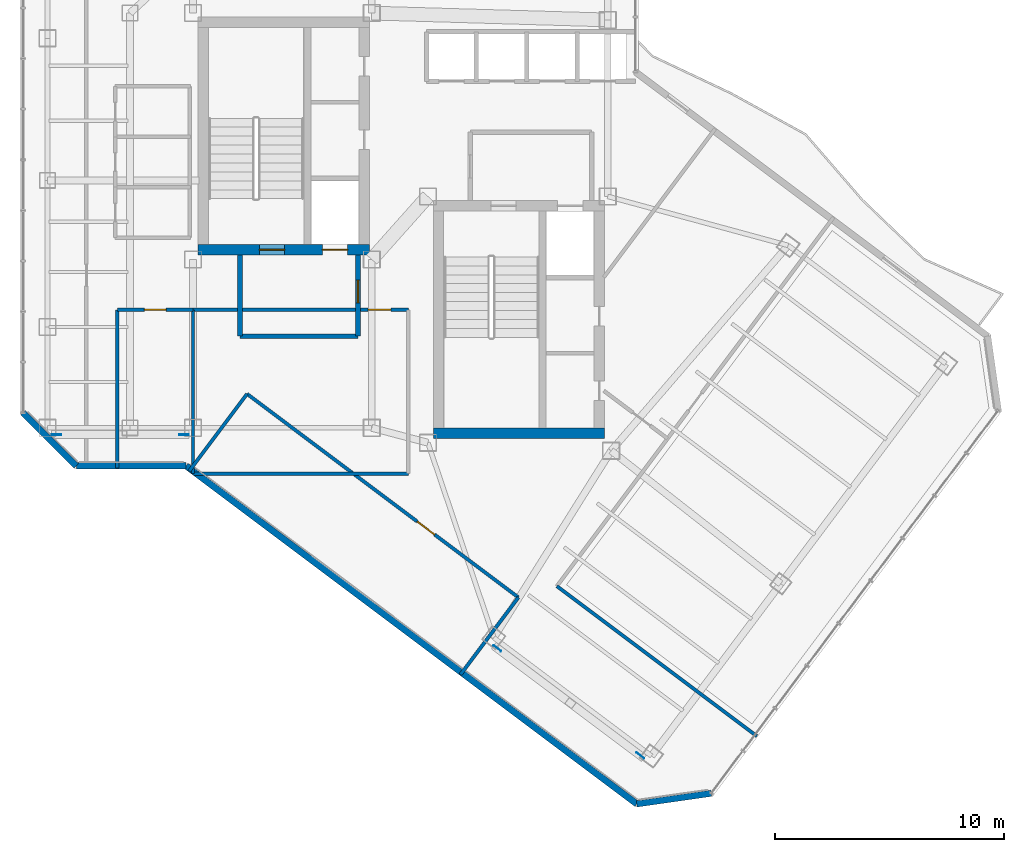
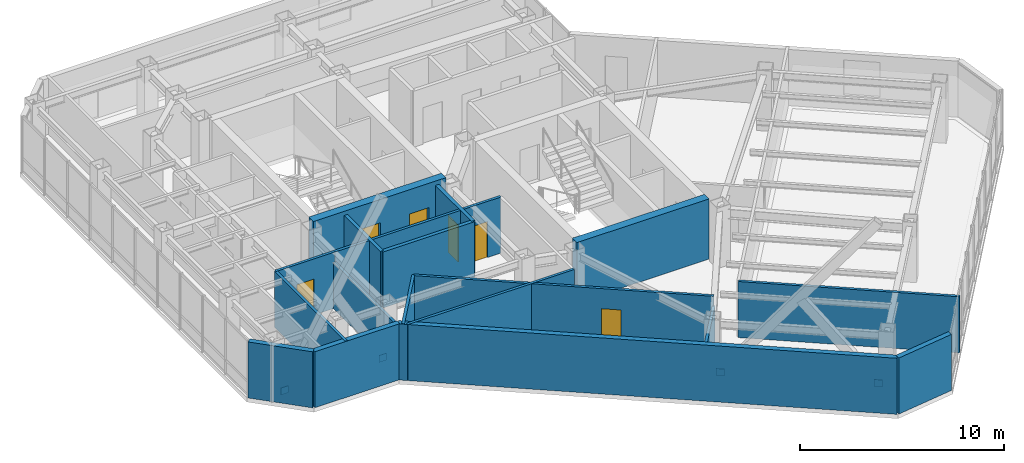
# One storey, part 19 of 24: 18 walls, 6 doors, 4 plates, 6 openings.
"""IFC4 building model written with IfcOpenShell, lengths in metres."""

from ifc_helpers import new_model, si_unit, direction, frame, frame_2d, origin, origin_2d, place, context, subcontext, project, spatial, rectangle, extrude, material, layer, layer_set, type_object, element, fill, save


model = new_model("IFC4")

# Units and contexts
model_context = context("Model", 3, precision=1e-05, world=origin(), true_north=direction((0.0, 1.0)))
body_context = subcontext(model_context, "Body", "Model", "MODEL_VIEW")
ifc_project = project(units=[si_unit("LENGTHUNIT", "METRE"), si_unit("AREAUNIT", "SQUARE_METRE"), si_unit("VOLUMEUNIT", "CUBIC_METRE"), si_unit("PLANEANGLEUNIT", "RADIAN"), si_unit("MASSUNIT", "GRAM", prefix="KILO")], contexts=[model_context])

# Site, building, storey
site_placement = place(None, origin())
site = spatial("IfcSite", under=ifc_project, at=site_placement, CompositionType="ELEMENT")
building_placement = place(site_placement, origin())
building = spatial("IfcBuilding", under=site, at=building_placement, Name="Hatsunagi Terrace Concourse", CompositionType="ELEMENT")
storey_placement = place(building_placement, frame((0.0, 0.0, 191.550048828125)))
storey = spatial("IfcBuildingStorey", under=building, at=storey_placement, Name="L50", CompositionType="ELEMENT", Elevation=191.550048828125)

# Plates
ifc_material_1 = material(Name="Steel SN490C", Category="steel")
ifc_layer_1 = layer(ifc_material_1, 0.031982421875)
ifc_layer_set_1 = layer_set([ifc_layer_1], Name="XBraceNodeCapPlate_32")
plate_type = type_object("IfcPlateType", Name="XBraceNodeCapPlate_32", PredefinedType="USERDEFINED", material=ifc_layer_set_1)
for number, where, z_axis, x_axis, name in (
    (1, (19.60009765625, 24.89990234375, 0.22998046875), (0.0, 0.0, 1.0), (1.0, 0.0, 0.0), "Cast-In Core and Node Embed Plate GP-02 EP-XB-L50-W1-AB"),
    (2, (25.14990234375, 24.89990234375, 0.22998046875), (0.0, 0.0, 1.0), (1.0, 0.0, 0.0), "Cast-In Core and Node Embed Plate GP-02 EP-XB-L50-W1-BB"),
    (3, (38.83203125, 15.575927734375, 0.22998046875), (0.0, 0.0, 1.0), (0.799999996291, -0.600000004945, 0.0), "Cast-In Core and Node Embed Plate GP-02 EP-XB-L50-SE-AB"),
    (4, (45.072021484375, 10.89599609375, 0.22998046875), (0.0, 0.0, 1.0), (0.799999996291, -0.600000004945, 0.0), "Cast-In Core and Node Embed Plate GP-02 EP-XB-L50-SE-BB"),
):
    element("IfcPlate", number, at=place(storey_placement, frame(where, z_axis=z_axis, x_axis=x_axis)), inside=storey, type_object=plate_type, Name=name, ObjectType="GUSSET_PLATE", PredefinedType="USERDEFINED", context=body_context, shape_type="SweptSolid", body=[
        extrude(rectangle(XDim=0.419921875, YDim=0.031982421875, at=origin_2d()), origin(), (0.0, 0.0, 1.0), 0.419921875),
    ])

# Wall, openings, doors
ifc_material_2 = material(Name="Concrete Fc42", Category="concrete")
ifc_layer_2 = layer(ifc_material_2, 0.449951171875)
ifc_layer_set_2 = layer_set([ifc_layer_2], Name="CoreShearWall_Fc42_450")
wall_type_1 = type_object("IfcWallType", Name="CoreShearWall_Fc42_450", PredefinedType="SHEAR", material=ifc_layer_set_2)
wall_1_placement = place(storey_placement, frame((25.77001953125, 32.965087890625, 0.0), z_axis=(0.0, 0.0, 1.0), x_axis=(1.0, 0.0, 0.0)))
wall_1 = element("IfcWall", 5, at=wall_1_placement, inside=storey, type_object=wall_type_1, Name="Core A Shear Wall S L50", PredefinedType="SHEAR", context=body_context, shape_type="SweptSolid", body=[
    extrude(rectangle(XDim=7.47998046875, YDim=0.449951171875, at=frame_2d((3.739990234375, 0.0))), origin(), (0.0, 0.0, 1.0), 3.599853515625),
])
opening_1_placement = place(wall_1_placement, frame((2.679931640625, 0.0, 0.0)))
opening_1 = element("IfcOpeningElement", 6, at=opening_1_placement, cuts=wall_1, Name="Opening DR-110S", PredefinedType="OPENING", context=body_context, shape_type="SweptSolid", body=[
    extrude(rectangle(XDim=1.10009765625, YDim=2.199951171875, at=frame_2d((0.550048828125, 1.10009765625))), frame((0.0, 0.23486328125, 0.0), z_axis=(0.0, -1.0, 0.0), x_axis=(1.0, 0.0, 0.0)), (0.0, 0.0, 1.0), 0.469970703125),
])
opening_2_placement = place(wall_1_placement, frame((5.429931640625, 0.0, 0.0)))
opening_2 = element("IfcOpeningElement", 7, at=opening_2_placement, cuts=wall_1, Name="Opening LD-01", PredefinedType="OPENING", context=body_context, shape_type="SweptSolid", body=[
    extrude(rectangle(XDim=1.10009765625, YDim=2.14990234375, at=frame_2d((0.550048828125, 1.074951171875))), frame((0.0, 0.23486328125, 0.0), z_axis=(0.0, -1.0, 0.0), x_axis=(1.0, 0.0, 0.0)), (0.0, 0.0, 1.0), 0.469970703125),
])
ifc_material_3 = material(Name="Stainless steel", Category="steel")
door_type_1 = type_object("IfcDoorType", Name="LiftLandingDoor_LD01", OperationType="SLIDING_TO_LEFT", PredefinedType="USERDEFINED", material=ifc_material_3)
door_1_placement = place(opening_2_placement, origin())
door_1 = element("IfcDoor", 8, at=door_1_placement, inside=storey, type_object=door_type_1, Name="Lift landing door FF-01 L50", ObjectType="SLIDING_LANDING_DOOR", OperationType="SLIDING_TO_LEFT", OverallHeight=2.14990234375, OverallWidth=1.10009765625, PredefinedType="USERDEFINED", context=body_context, shape_type="SweptSolid", body=[
    extrude(rectangle(XDim=1.10009765625, YDim=2.14990234375, at=frame_2d((0.550048828125, 1.074951171875))), frame((0.0, 0.02490234375, 0.0), z_axis=(0.0, -1.0, 0.0), x_axis=(1.0, 0.0, 0.0)), (0.0, 0.0, 1.0), 0.050048828125),
])
fill(opening_2, door_1)
ifc_material_4 = material(Name="Painted steel", Category="steel")
door_type_2 = type_object("IfcDoorType", Name="StairFireDoor_EI60_1100", OperationType="NOTDEFINED", PredefinedType="DOOR", material=ifc_material_4)
door_2_placement = place(opening_1_placement, origin())
door_2 = element("IfcDoor", 9, at=door_2_placement, inside=storey, type_object=door_type_2, Name="Stair ST-A Exit Door L50", OperationType="SINGLE_SWING_LEFT", OverallHeight=2.199951171875, OverallWidth=1.10009765625, PredefinedType="DOOR", context=body_context, shape_type="SweptSolid", body=[
    extrude(rectangle(XDim=1.10009765625, YDim=2.199951171875, at=frame_2d((0.550048828125, 1.10009765625))), frame((0.0, 0.02490234375, 0.0), z_axis=(0.0, -1.0, 0.0), x_axis=(1.0, 0.0, 0.0)), (0.0, 0.0, 1.0), 0.050048828125),
])
fill(opening_1, door_2)

# Walls
wall_2_placement = place(storey_placement, frame((36.0400390625, 24.965087890625, 0.0), z_axis=(0.0, 0.0, 1.0), x_axis=(1.0, 0.0, 0.0)))
element("IfcWall", 10, at=wall_2_placement, inside=storey, type_object=wall_type_1, Name="Core B Shear Wall S L50", PredefinedType="SHEAR", context=body_context, shape_type="SweptSolid", body=[
    extrude(rectangle(XDim=7.4599609375, YDim=0.449951171875, at=frame_2d((3.72998046875, 0.0))), origin(), (0.0, 0.0, 1.0), 3.599853515625),
])
ifc_material_5 = material(Name="Acoustic mineral board", Category="gypsum")
ifc_layer_3 = layer(ifc_material_5, 0.14990234375)
ifc_layer_set_3 = layer_set([ifc_layer_3], Name="PartitionWall_EI60_150")
wall_type_2 = type_object("IfcWallType", Name="PartitionWall_EI60_150", PredefinedType="PARTITIONING", material=ifc_layer_set_3)
wall_3_placement = place(storey_placement, frame((25.550048828125, 23.199951171875, 0.0), z_axis=(0.0, 0.0, 1.0), x_axis=(1.0, 0.0, 0.0)))
element("IfcWall", 11, at=wall_3_placement, inside=storey, type_object=wall_type_2, Name="Interior Partition IW-L50-025", PredefinedType="PARTITIONING", context=body_context, shape_type="SweptSolid", body=[
    extrude(rectangle(XDim=9.39990234375, YDim=0.14990234375, at=frame_2d((4.699951171875, 0.0))), origin(), (0.0, 0.0, 1.0), 3.349853515625),
])

# Wall, opening, door
wall_4_placement = place(storey_placement, frame((25.550048828125, 30.35009765625, 0.0), z_axis=(0.0, 0.0, 1.0), x_axis=(1.0, 0.0, 0.0)))
wall_4 = element("IfcWall", 12, at=wall_4_placement, inside=storey, type_object=wall_type_2, Name="Interior Partition IW-L50-026", PredefinedType="PARTITIONING", context=body_context, shape_type="SweptSolid", body=[
    extrude(rectangle(XDim=9.39990234375, YDim=0.14990234375, at=frame_2d((4.699951171875, 0.0))), origin(), (0.0, 0.0, 1.0), 3.349853515625),
])
opening_3_placement = place(wall_4_placement, frame((7.637939453125, 0.0, 0.0)))
opening_3 = element("IfcOpeningElement", 13, at=opening_3_placement, cuts=wall_4, Name="Opening DR-100S", PredefinedType="OPENING", context=body_context, shape_type="SweptSolid", body=[
    extrude(rectangle(XDim=1.0, YDim=2.14990234375, at=frame_2d((0.5, 1.074951171875))), frame((0.0, 0.0849609375, 0.0), z_axis=(0.0, -1.0, 0.0), x_axis=(1.0, 0.0, 0.0)), (0.0, 0.0, 1.0), 0.169921875),
])
ifc_material_6 = material(Name="Hardwood timber", Category="wood")
door_type_3 = type_object("IfcDoorType", Name="SuiteDoor_EI30_1000", OperationType="NOTDEFINED", PredefinedType="DOOR", material=ifc_material_6)
door_3_placement = place(opening_3_placement, origin())
door_3 = element("IfcDoor", 14, at=door_3_placement, inside=storey, type_object=door_type_3, Name="Breakout Pantry L50-RECL1 Door", OperationType="SINGLE_SWING_RIGHT", OverallHeight=2.14990234375, OverallWidth=1.0, PredefinedType="DOOR", context=body_context, shape_type="SweptSolid", body=[
    extrude(rectangle(XDim=1.0, YDim=2.14990234375, at=frame_2d((0.5, 1.074951171875))), frame((0.0, 0.02490234375, 0.0), z_axis=(0.0, -1.0, 0.0), x_axis=(1.0, 0.0, 0.0)), (0.0, 0.0, 1.0), 0.050048828125),
])
fill(opening_3, door_3)

# Walls
wall_5_placement = place(storey_placement, frame((25.550048828125, 23.199951171875, 0.0), z_axis=(0.0, 0.0, 1.0), x_axis=(0.0, 1.0, 0.0)))
element("IfcWall", 15, at=wall_5_placement, inside=storey, type_object=wall_type_2, Name="Interior Partition IW-L50-027", PredefinedType="PARTITIONING", context=body_context, shape_type="SweptSolid", body=[
    extrude(rectangle(XDim=7.150146484375, YDim=0.14990234375, at=frame_2d((3.5751953125, 0.0))), origin(), (0.0, 0.0, 1.0), 2.7568359375),
])
wall_6_placement = place(storey_placement, frame((41.429931640625, 18.2900390625, 0.0), z_axis=(0.0, 0.0, 1.0), x_axis=(0.799994629375, -0.600007160767, 0.0)))
element("IfcWall", 16, at=wall_6_placement, inside=storey, type_object=wall_type_2, Name="Interior Partition IW-L50-031", PredefinedType="PARTITIONING", context=body_context, shape_type="SweptSolid", body=[
    extrude(rectangle(XDim=10.91015625, YDim=0.14990234375, at=frame_2d((5.455078125, 0.0))), origin(), (0.0, 0.0, 1.0), 3.349853515625),
])

# Wall, opening, door
wall_7_placement = place(storey_placement, frame((22.25, 30.35009765625, 0.0), z_axis=(0.0, 0.0, 1.0), x_axis=(1.0, 0.0, 0.0)))
wall_7 = element("IfcWall", 17, at=wall_7_placement, inside=storey, type_object=wall_type_2, Name="Interior Partition IW-L50-035", PredefinedType="PARTITIONING", context=body_context, shape_type="SweptSolid", body=[
    extrude(rectangle(XDim=3.300048828125, YDim=0.14990234375, at=frame_2d((1.64990234375, 0.0))), origin(), (0.0, 0.0, 1.0), 3.349853515625),
])
opening_4_placement = place(wall_7_placement, frame((1.175048828125, 0.0, 0.0)))
opening_4 = element("IfcOpeningElement", 18, at=opening_4_placement, cuts=wall_7, Name="Opening DR-095", PredefinedType="OPENING", context=body_context, shape_type="SweptSolid", body=[
    extrude(rectangle(XDim=0.949951171875, YDim=2.14990234375, at=frame_2d((0.47509765625, 1.074951171875))), frame((0.0, 0.0849609375, 0.0), z_axis=(0.0, -1.0, 0.0), x_axis=(1.0, 0.0, 0.0)), (0.0, 0.0, 1.0), 0.169921875),
])
ifc_material_7 = material(Name="Hardwood timber", Category="wood")
door_type_4 = type_object("IfcDoorType", Name="InteriorSuiteDoor_EI30_950", OperationType="NOTDEFINED", PredefinedType="DOOR", material=ifc_material_7)
door_4_placement = place(opening_4_placement, origin())
door_4 = element("IfcDoor", 19, at=door_4_placement, inside=storey, type_object=door_type_4, Name="Private Salon L50-OCSW Door", OperationType="SINGLE_SWING_RIGHT", OverallHeight=2.14990234375, OverallWidth=0.949951171875, PredefinedType="DOOR", context=body_context, shape_type="SweptSolid", body=[
    extrude(rectangle(XDim=0.949951171875, YDim=2.14990234375, at=frame_2d((0.47509765625, 1.074951171875))), frame((0.0, 0.02490234375, 0.0), z_axis=(0.0, -1.0, 0.0), x_axis=(1.0, 0.0, 0.0)), (0.0, 0.0, 1.0), 0.050048828125),
])
fill(opening_4, door_4)

# Wall
wall_8_placement = place(storey_placement, frame((22.25, 23.43994140625, 0.0), z_axis=(0.0, 0.0, 1.0), x_axis=(0.0, 1.0, 0.0)))
element("IfcWall", 20, at=wall_8_placement, inside=storey, type_object=wall_type_2, Name="Interior Partition IW-L50-036", PredefinedType="PARTITIONING", context=body_context, shape_type="SweptSolid", body=[
    extrude(rectangle(XDim=6.91015625, YDim=0.14990234375, at=frame_2d((3.455078125, 0.0))), origin(), (0.0, 0.0, 1.0), 3.349853515625),
])

# Wall, opening, door
wall_9_placement = place(storey_placement, frame((27.909912109375, 26.679931640625, 0.0), z_axis=(0.0, 0.0, 1.0), x_axis=(0.800005938517, -0.599992081896, 0.0)))
wall_9 = element("IfcWall", 21, at=wall_9_placement, inside=storey, type_object=wall_type_2, Name="Interior Partition IW-L50-037", PredefinedType="PARTITIONING", context=body_context, shape_type="SweptSolid", body=[
    extrude(rectangle(XDim=14.800048828125, YDim=0.14990234375, at=frame_2d((7.39990234375, 0.0))), origin(), (0.0, 0.0, 1.0), 3.349853515625),
])
opening_5_placement = place(wall_9_placement, frame((9.281005859375, 0.0, 0.0)))
opening_5 = element("IfcOpeningElement", 22, at=opening_5_placement, cuts=wall_9, Name="Opening DR-095", PredefinedType="OPENING", context=body_context, shape_type="SweptSolid", body=[
    extrude(rectangle(XDim=0.949951171875, YDim=2.14990234375, at=frame_2d((0.47509765625, 1.074951171875))), frame((0.0, 0.0849609375, 0.0), z_axis=(0.0, -1.0, 0.0), x_axis=(1.0, 0.0, 0.0)), (0.0, 0.0, 1.0), 0.169921875),
])
door_5_placement = place(opening_5_placement, origin())
door_5 = element("IfcDoor", 23, at=door_5_placement, inside=storey, type_object=door_type_4, Name="Research Focus Suite L50-OSWS Door", OperationType="SINGLE_SWING_RIGHT", OverallHeight=2.14990234375, OverallWidth=0.949951171875, PredefinedType="DOOR", context=body_context, shape_type="SweptSolid", body=[
    extrude(rectangle(XDim=0.949951171875, YDim=2.14990234375, at=frame_2d((0.47509765625, 1.074951171875))), frame((0.0, 0.02490234375, 0.0), z_axis=(0.0, -1.0, 0.0), x_axis=(1.0, 0.0, 0.0)), (0.0, 0.0, 1.0), 0.050048828125),
])
fill(opening_5, door_5)

# Walls
wall_10_placement = place(storey_placement, frame((25.384033203125, 23.31201171875, 0.0), z_axis=(0.0, 0.0, 1.0), x_axis=(0.599990721155, 0.80000695905, 0.0)))
element("IfcWall", 24, at=wall_10_placement, inside=storey, type_object=wall_type_2, Name="Interior Partition IW-L50-038", PredefinedType="PARTITIONING", context=body_context, shape_type="SweptSolid", body=[
    extrude(rectangle(XDim=4.2099609375, YDim=0.14990234375, at=frame_2d((2.10498046875, 0.0))), origin(), (0.0, 0.0, 1.0), 3.349853515625),
])
wall_11_placement = place(storey_placement, frame((37.22412109375, 14.431884765625, 0.0), z_axis=(0.0, 0.0, 1.0), x_axis=(0.599962885857, 0.800027834262, 0.0)))
element("IfcWall", 25, at=wall_11_placement, inside=storey, type_object=wall_type_2, Name="Interior Partition IW-L50-039", PredefinedType="PARTITIONING", context=body_context, shape_type="SweptSolid", body=[
    extrude(rectangle(XDim=4.2099609375, YDim=0.14990234375, at=frame_2d((2.10498046875, 0.0))), origin(), (0.0, 0.0, 1.0), 2.7568359375),
])
ifc_material_8 = material(Name="Acoustic mineral board", Category="gypsum")
ifc_layer_4 = layer(ifc_material_8, 0.199951171875)
ifc_layer_set_4 = layer_set([ifc_layer_4], Name="ShaftWall_EI120_200")
wall_type_3 = type_object("IfcWallType", Name="ShaftWall_EI120_200", PredefinedType="STANDARD", material=ifc_layer_set_4)
wall_12_placement = place(storey_placement, frame((27.60009765625, 29.199951171875, 0.0), z_axis=(0.0, 0.0, 1.0), x_axis=(1.0, 0.0, 0.0)))
element("IfcWall", 26, at=wall_12_placement, inside=storey, type_object=wall_type_3, Name="Interior Partition IW-L50-005", PredefinedType="STANDARD", context=body_context, shape_type="SweptSolid", body=[
    extrude(rectangle(XDim=5.14990234375, YDim=0.199951171875, at=frame_2d((2.574951171875, 0.0))), origin(), (0.0, 0.0, 1.0), 3.349853515625),
])
wall_13_placement = place(storey_placement, frame((27.60009765625, 29.199951171875, 0.0), z_axis=(0.0, 0.0, 1.0), x_axis=(0.0, 1.0, 0.0)))
element("IfcWall", 27, at=wall_13_placement, inside=storey, type_object=wall_type_3, Name="Interior Partition IW-L50-006", PredefinedType="STANDARD", context=body_context, shape_type="SweptSolid", body=[
    extrude(rectangle(XDim=3.5400390625, YDim=0.199951171875, at=frame_2d((1.77001953125, 0.0))), origin(), (0.0, 0.0, 1.0), 3.349853515625),
])

# Wall, opening, door
wall_14_placement = place(storey_placement, frame((32.75, 29.199951171875, 0.0), z_axis=(0.0, 0.0, 1.0), x_axis=(0.0, 1.0, 0.0)))
wall_14 = element("IfcWall", 28, at=wall_14_placement, inside=storey, type_object=wall_type_3, Name="Interior Partition IW-L50-007", PredefinedType="STANDARD", context=body_context, shape_type="SweptSolid", body=[
    extrude(rectangle(XDim=3.5400390625, YDim=0.199951171875, at=frame_2d((1.77001953125, 0.0))), origin(), (0.0, 0.0, 1.0), 3.349853515625),
])
opening_6_placement = place(wall_14_placement, frame((1.449951171875, 0.0, 0.0)))
opening_6 = element("IfcOpeningElement", 29, at=opening_6_placement, cuts=wall_14, Name="Opening DR-100F", PredefinedType="OPENING", context=body_context, shape_type="SweptSolid", body=[
    extrude(rectangle(XDim=1.0, YDim=2.199951171875, at=frame_2d((0.5, 1.10009765625))), frame((0.0, 0.10986328125, 0.0), z_axis=(0.0, -1.0, 0.0), x_axis=(1.0, 0.0, 0.0)), (0.0, 0.0, 1.0), 0.219970703125),
])
ifc_material_9 = material(Name="Painted steel", Category="steel")
door_type_5 = type_object("IfcDoorType", Name="FireDoor_EI60_1000", OperationType="NOTDEFINED", PredefinedType="DOOR", material=ifc_material_9)
door_6_placement = place(opening_6_placement, origin())
door_6 = element("IfcDoor", 30, at=door_6_placement, inside=storey, type_object=door_type_5, Name="Firefighting Lobby A Door L50", OperationType="SINGLE_SWING_RIGHT", OverallHeight=2.199951171875, OverallWidth=1.0, PredefinedType="DOOR", context=body_context, shape_type="SweptSolid", body=[
    extrude(rectangle(XDim=1.0, YDim=2.199951171875, at=frame_2d((0.5, 1.10009765625))), frame((0.0, 0.02490234375, 0.0), z_axis=(0.0, -1.0, 0.0), x_axis=(1.0, 0.0, 0.0)), (0.0, 0.0, 1.0), 0.050048828125),
])
fill(opening_6, door_6)

# Walls
ifc_material_10 = material(Name="Autoclaved Lightweight Concrete and Terracotta Cladding", Category="masonry")
ifc_layer_5 = layer(ifc_material_10, 0.280029296875)
ifc_layer_set_5 = layer_set([ifc_layer_5], Name="TerracottaSpandrelWall_280")
wall_type_4 = type_object("IfcWallType", Name="TerracottaSpandrelWall_280", PredefinedType="STANDARD", material=ifc_layer_set_5)
wall_15_placement = place(storey_placement, frame((48.1630859375, 9.25, 0.0), z_axis=(0.0, 0.0, 1.0), x_axis=(-0.989979263428, -0.141212810973, 0.0)))
element("IfcWall", 31, at=wall_15_placement, inside=storey, type_object=wall_type_4, Name="Exterior Spandrel Wall EW-L50-04", PredefinedType="STANDARD", context=body_context, shape_type="SweptSolid", body=[
    extrude(rectangle(XDim=3.278076171875, YDim=0.280029296875, at=frame_2d((1.63916015625, 0.0))), origin(), (0.0, 0.0, 1.0), 3.349853515625),
])
wall_16_placement = place(storey_placement, frame((44.91796875, 8.787109375, 0.0), z_axis=(0.0, 0.0, 1.0), x_axis=(-0.800004765927, 0.599993645378, 0.0)))
element("IfcWall", 32, at=wall_16_placement, inside=storey, type_object=wall_type_4, Name="Exterior Spandrel Wall EW-L50-05", PredefinedType="STANDARD", context=body_context, shape_type="SweptSolid", body=[
    extrude(rectangle(XDim=24.58837890625, YDim=0.280029296875, at=frame_2d((12.294189453125, 0.0))), origin(), (0.0, 0.0, 1.0), 3.349853515625),
])
wall_17_placement = place(storey_placement, frame((25.2470703125, 23.5400390625, 0.0), z_axis=(0.0, 0.0, 1.0), x_axis=(-1.0, 0.0, 0.0)))
element("IfcWall", 33, at=wall_17_placement, inside=storey, type_object=wall_type_4, Name="Exterior Spandrel Wall EW-L50-06", PredefinedType="STANDARD", context=body_context, shape_type="SweptSolid", body=[
    extrude(rectangle(XDim=4.7890625, YDim=0.280029296875, at=frame_2d((2.39453125, 0.0))), origin(), (0.0, 0.0, 1.0), 3.349853515625),
])
wall_18_placement = place(storey_placement, frame((20.4580078125, 23.5400390625, 0.0), z_axis=(0.0, 0.0, 1.0), x_axis=(-0.707144017911, 0.707069542501, 0.0)))
element("IfcWall", 34, at=wall_18_placement, inside=storey, type_object=wall_type_4, Name="Exterior Spandrel Wall EW-L50-07", PredefinedType="STANDARD", context=body_context, shape_type="SweptSolid", body=[
    extrude(rectangle(XDim=3.278076171875, YDim=0.280029296875, at=frame_2d((1.63916015625, 0.0))), origin(), (0.0, 0.0, 1.0), 3.349853515625),
])

save(model, "model.ifc")
